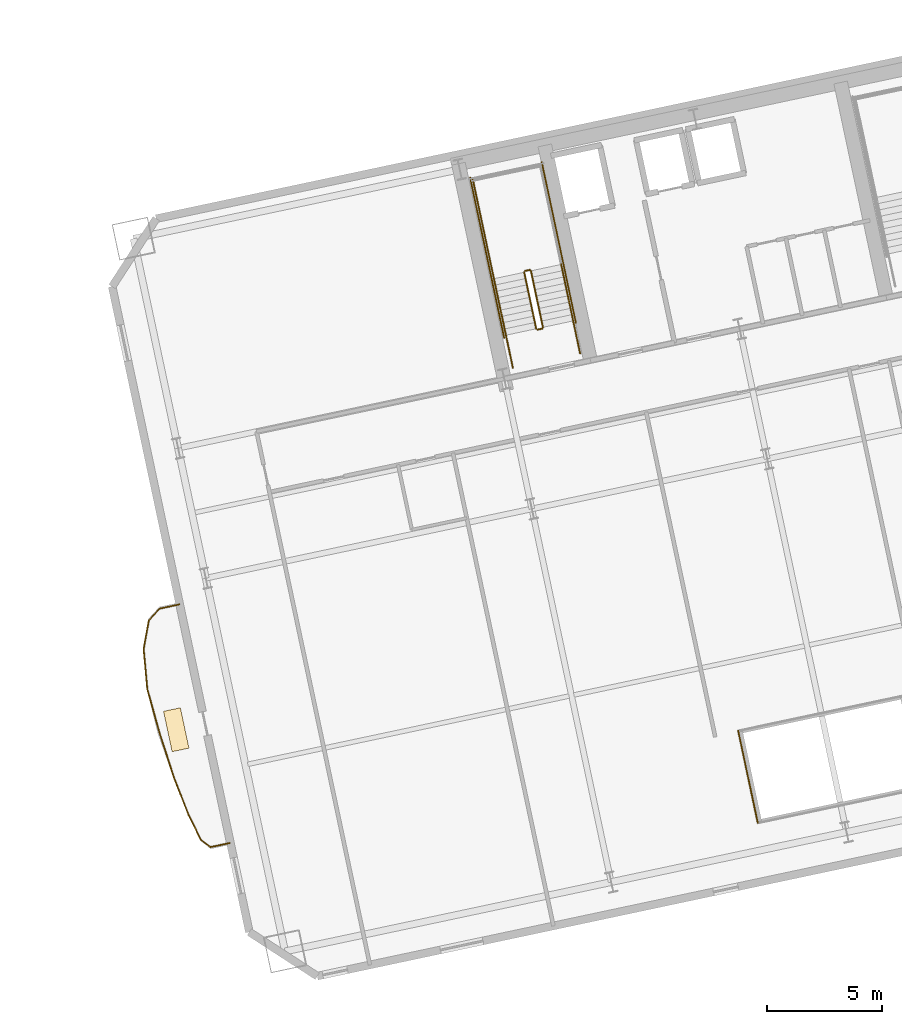
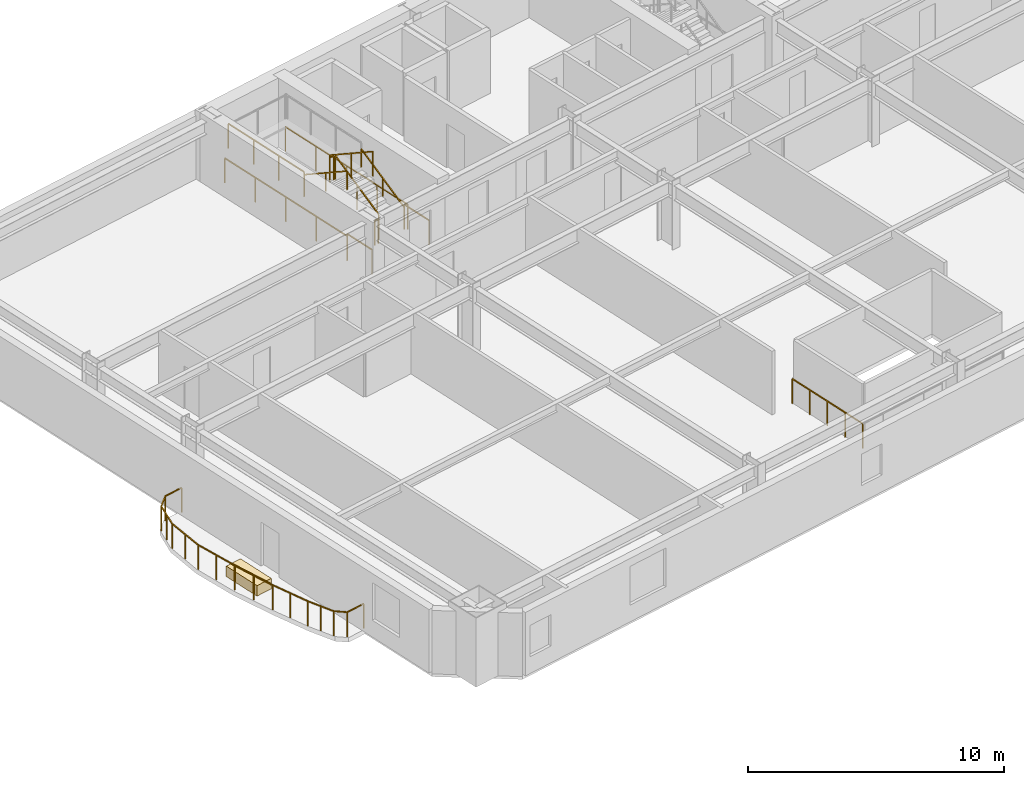
# One storey, part 14 of 16: 22 railings, 1 covering.
"""IFC4 building model written with IfcOpenShell, lengths in metres."""

from ifc_helpers import new_model, si_unit, direction, frame, origin, origin_2d, place, context, subcontext, project, spatial, rectangle, extrude, material, layer, layer_set, type_object, element, save


model = new_model("IFC4")

# Units and contexts
model_context = context("Model", 3, precision=1e-05, world=origin(), true_north=direction((0.0, 1.0)))
body_context = subcontext(model_context, "Body", "Model", "MODEL_VIEW")
ifc_project = project(units=[si_unit("LENGTHUNIT", "METRE"), si_unit("AREAUNIT", "SQUARE_METRE"), si_unit("VOLUMEUNIT", "CUBIC_METRE"), si_unit("PLANEANGLEUNIT", "RADIAN"), si_unit("MASSUNIT", "GRAM", prefix="KILO")], contexts=[model_context])

# Site, building, storey
site_placement = place(None, origin())
site = spatial("IfcSite", under=ifc_project, at=site_placement, CompositionType="ELEMENT")
building_placement = place(site_placement, origin())
building = spatial("IfcBuilding", under=site, at=building_placement, Name="Haevon Station Towers", CompositionType="ELEMENT")
storey_placement = place(building_placement, frame((0.0, 0.0, 43.800048828125)))
storey = spatial("IfcBuildingStorey", under=building, at=storey_placement, Name="L10", CompositionType="ELEMENT", Elevation=43.800048828125)

# Railings
ifc_material_1 = material(Name="Steel S355", Category="steel")
railing_type_1 = type_object("IfcRailingType", Name="BAL-ATR1200", PredefinedType="BALUSTRADE", material=ifc_material_1)
railing_1_placement = place(storey_placement, frame((108.962890625, 22.088134765625, 0.0)))
element("IfcRailing", 1, at=railing_1_placement, inside=storey, type_object=railing_type_1, Name="L10 Atrium Void Balustrade 4", PredefinedType="BALUSTRADE", context=body_context, shape_type="SweptSolid", body=[
    extrude(rectangle(XDim=0.048095703125, YDim=0.048095703125, at=origin_2d()), frame((0.0, 0.0, 1.17578125), z_axis=(0.207928976297, -0.978143926432, 0.0), x_axis=(0.978143926432, 0.207928976297, 0.0)), (0.0, 0.0, 1.0), 4.11669921875),
    extrude(rectangle(XDim=0.0419921875, YDim=0.0419921875, at=origin_2d()), origin(), (0.0, 0.0, 1.0), 1.15185546875),
    extrude(rectangle(XDim=0.0419921875, YDim=0.0419921875, at=origin_2d()), frame((0.2138671875, -1.006591796875, 0.0)), (0.0, 0.0, 1.0), 1.15185546875),
    extrude(rectangle(XDim=0.0419921875, YDim=0.0419921875, at=origin_2d()), frame((0.427978515625, -2.01318359375, 0.0)), (0.0, 0.0, 1.0), 1.15185546875),
    extrude(rectangle(XDim=0.0419921875, YDim=0.0419921875, at=origin_2d()), frame((0.64208984375, -3.02001953125, 0.0)), (0.0, 0.0, 1.0), 1.15185546875),
    extrude(rectangle(XDim=0.0419921875, YDim=0.0419921875, at=origin_2d()), frame((0.85595703125, -4.026611328125, 0.0)), (0.0, 0.0, 1.0), 1.15185546875),
])
railing_type_2 = type_object("IfcRailingType", Name="GRD-EXT1200", PredefinedType="GUARDRAIL", material=ifc_material_1)
railing_2_placement = place(storey_placement, frame((84.565185546875, 27.599853515625, 0.0)))
element("IfcRailing", 2, at=railing_2_placement, inside=storey, type_object=railing_type_2, Name="L10 Perimeter Guardrail 1", PredefinedType="GUARDRAIL", context=body_context, shape_type="SweptSolid", body=[
    extrude(rectangle(XDim=0.048095703125, YDim=0.048095703125, at=origin_2d()), frame((0.0, 0.0, 1.17578125), z_axis=(-0.977683060471, -0.210085299981, 0.0), x_axis=(0.210085299981, -0.977683060471, 0.0)), (0.0, 0.0, 1.0), 0.869140625),
    extrude(rectangle(XDim=0.0419921875, YDim=0.0419921875, at=origin_2d()), origin(), (0.0, 0.0, 1.0), 1.15185546875),
    extrude(rectangle(XDim=0.0419921875, YDim=0.0419921875, at=origin_2d()), frame((-0.849853515625, -0.1826171875, 0.0)), (0.0, 0.0, 1.0), 1.15185546875),
])
railing_3_placement = place(storey_placement, frame((83.71533203125, 27.417236328125, 0.0)))
element("IfcRailing", 3, at=railing_3_placement, inside=storey, type_object=railing_type_2, Name="L10 Perimeter Guardrail 2", PredefinedType="GUARDRAIL", context=body_context, shape_type="SweptSolid", body=[
    extrude(rectangle(XDim=0.048095703125, YDim=0.048095703125, at=origin_2d()), frame((0.0, 0.0, 1.17578125), z_axis=(-0.673258673946, -0.739407031314, 0.0), x_axis=(0.739407031314, -0.673258673946, 0.0)), (0.0, 0.0, 1.0), 0.704833984375),
    extrude(rectangle(XDim=0.0419921875, YDim=0.0419921875, at=origin_2d()), origin(), (0.0, 0.0, 1.0), 1.15185546875),
    extrude(rectangle(XDim=0.0419921875, YDim=0.0419921875, at=origin_2d()), frame((-0.474609375, -0.521240234375, 0.0)), (0.0, 0.0, 1.0), 1.15185546875),
])
railing_4_placement = place(storey_placement, frame((83.24072265625, 26.89599609375, 0.0)))
element("IfcRailing", 4, at=railing_4_placement, inside=storey, type_object=railing_type_2, Name="L10 Perimeter Guardrail 3", PredefinedType="GUARDRAIL", context=body_context, shape_type="SweptSolid", body=[
    extrude(rectangle(XDim=0.048095703125, YDim=0.048095703125, at=origin_2d()), frame((0.0, 0.0, 1.17578125), z_axis=(-0.178664469199, -0.983910060649, 0.0), x_axis=(0.983910060649, -0.178664469199, 0.0)), (0.0, 0.0, 1.0), 1.263916015625),
    extrude(rectangle(XDim=0.0419921875, YDim=0.0419921875, at=origin_2d()), origin(), (0.0, 0.0, 1.0), 1.15185546875),
    extrude(rectangle(XDim=0.0419921875, YDim=0.0419921875, at=origin_2d()), frame((-0.11279296875, -0.621826171875, 0.0)), (0.0, 0.0, 1.0), 1.15185546875),
    extrude(rectangle(XDim=0.0419921875, YDim=0.0419921875, at=origin_2d()), frame((-0.225830078125, -1.24365234375, 0.0)), (0.0, 0.0, 1.0), 1.15185546875),
])
railing_5_placement = place(storey_placement, frame((83.014892578125, 25.65234375, 0.0)))
element("IfcRailing", 5, at=railing_5_placement, inside=storey, type_object=railing_type_2, Name="L10 Perimeter Guardrail 4", PredefinedType="GUARDRAIL", context=body_context, shape_type="SweptSolid", body=[
    extrude(rectangle(XDim=0.048095703125, YDim=0.048095703125, at=origin_2d()), frame((0.0, 0.0, 1.17578125), z_axis=(0.09134934357, -0.995818907949, 0.0), x_axis=(0.995818907949, 0.09134934357, 0.0)), (0.0, 0.0, 1.0), 1.758544921875),
    extrude(rectangle(XDim=0.0419921875, YDim=0.0419921875, at=origin_2d()), origin(), (0.0, 0.0, 1.0), 1.15185546875),
    extrude(rectangle(XDim=0.0419921875, YDim=0.0419921875, at=origin_2d()), frame((0.080322265625, -0.87548828125, 0.0)), (0.0, 0.0, 1.0), 1.15185546875),
    extrude(rectangle(XDim=0.0419921875, YDim=0.0419921875, at=origin_2d()), frame((0.16064453125, -1.751220703125, 0.0)), (0.0, 0.0, 1.0), 1.15185546875),
])
railing_6_placement = place(storey_placement, frame((83.175537109375, 23.901123046875, 0.0)))
element("IfcRailing", 6, at=railing_6_placement, inside=storey, type_object=railing_type_2, Name="L10 Perimeter Guardrail 5", PredefinedType="GUARDRAIL", context=body_context, shape_type="SweptSolid", body=[
    extrude(rectangle(XDim=0.048095703125, YDim=0.048095703125, at=origin_2d()), frame((0.0, 0.0, 1.17578125), z_axis=(0.269648061071, -0.962958941576, 0.0), x_axis=(0.962958941576, 0.269648061071, 0.0)), (0.0, 0.0, 1.0), 1.997314453125),
    extrude(rectangle(XDim=0.0419921875, YDim=0.0419921875, at=origin_2d()), origin(), (0.0, 0.0, 1.0), 1.15185546875),
    extrude(rectangle(XDim=0.0419921875, YDim=0.0419921875, at=origin_2d()), frame((0.269287109375, -0.961669921875, 0.0)), (0.0, 0.0, 1.0), 1.15185546875),
    extrude(rectangle(XDim=0.0419921875, YDim=0.0419921875, at=origin_2d()), frame((0.53857421875, -1.92333984375, 0.0)), (0.0, 0.0, 1.0), 1.15185546875),
])
railing_7_placement = place(storey_placement, frame((83.714111328125, 21.977783203125, 0.0)))
element("IfcRailing", 7, at=railing_7_placement, inside=storey, type_object=railing_type_2, Name="L10 Perimeter Guardrail 6", PredefinedType="GUARDRAIL", context=body_context, shape_type="SweptSolid", body=[
    extrude(rectangle(XDim=0.048095703125, YDim=0.048095703125, at=origin_2d()), frame((0.0, 0.0, 1.17578125), z_axis=(0.307056287297, -0.951691355657, 0.0), x_axis=(0.951691355657, 0.307056287297, 0.0)), (0.0, 0.0, 1.0), 1.999755859375),
    extrude(rectangle(XDim=0.0419921875, YDim=0.0419921875, at=origin_2d()), origin(), (0.0, 0.0, 1.0), 1.15185546875),
    extrude(rectangle(XDim=0.0419921875, YDim=0.0419921875, at=origin_2d()), frame((0.30712890625, -0.95166015625, 0.0)), (0.0, 0.0, 1.0), 1.15185546875),
    extrude(rectangle(XDim=0.0419921875, YDim=0.0419921875, at=origin_2d()), frame((0.614013671875, -1.903076171875, 0.0)), (0.0, 0.0, 1.0), 1.15185546875),
])
railing_8_placement = place(storey_placement, frame((84.328125, 20.07470703125, 0.0)))
element("IfcRailing", 8, at=railing_8_placement, inside=storey, type_object=railing_type_2, Name="L10 Perimeter Guardrail 7", PredefinedType="GUARDRAIL", context=body_context, shape_type="SweptSolid", body=[
    extrude(rectangle(XDim=0.048095703125, YDim=0.048095703125, at=origin_2d()), frame((0.0, 0.0, 1.17578125), z_axis=(0.363828124835, -0.93146610007, 0.0), x_axis=(0.93146610007, 0.363828124835, 0.0)), (0.0, 0.0, 1.0), 1.77294921875),
    extrude(rectangle(XDim=0.0419921875, YDim=0.0419921875, at=origin_2d()), origin(), (0.0, 0.0, 1.0), 1.15185546875),
    extrude(rectangle(XDim=0.0419921875, YDim=0.0419921875, at=origin_2d()), frame((0.322509765625, -0.82568359375, 0.0)), (0.0, 0.0, 1.0), 1.15185546875),
    extrude(rectangle(XDim=0.0419921875, YDim=0.0419921875, at=origin_2d()), frame((0.64501953125, -1.6513671875, 0.0)), (0.0, 0.0, 1.0), 1.15185546875),
])
railing_9_placement = place(storey_placement, frame((84.97314453125, 18.42333984375, 0.0)))
element("IfcRailing", 9, at=railing_9_placement, inside=storey, type_object=railing_type_2, Name="L10 Perimeter Guardrail 8", PredefinedType="GUARDRAIL", context=body_context, shape_type="SweptSolid", body=[
    extrude(rectangle(XDim=0.048095703125, YDim=0.048095703125, at=origin_2d()), frame((0.0, 0.0, 1.17578125), z_axis=(0.439834148322, -0.898079017665, 0.0), x_axis=(0.898079017665, 0.439834148322, 0.0)), (0.0, 0.0, 1.0), 1.206787109375),
    extrude(rectangle(XDim=0.0419921875, YDim=0.0419921875, at=origin_2d()), origin(), (0.0, 0.0, 1.0), 1.15185546875),
    extrude(rectangle(XDim=0.0419921875, YDim=0.0419921875, at=origin_2d()), frame((0.265380859375, -0.5419921875, 0.0)), (0.0, 0.0, 1.0), 1.15185546875),
    extrude(rectangle(XDim=0.0419921875, YDim=0.0419921875, at=origin_2d()), frame((0.53076171875, -1.083740234375, 0.0)), (0.0, 0.0, 1.0), 1.15185546875),
])
railing_10_placement = place(storey_placement, frame((85.50390625, 17.339599609375, 0.0)))
element("IfcRailing", 10, at=railing_10_placement, inside=storey, type_object=railing_type_2, Name="L10 Perimeter Guardrail 9", PredefinedType="GUARDRAIL", context=body_context, shape_type="SweptSolid", body=[
    extrude(rectangle(XDim=0.048095703125, YDim=0.048095703125, at=origin_2d()), frame((0.0, 0.0, 1.17578125), z_axis=(0.788568425853, -0.614947020277, 0.0), x_axis=(0.614947020277, 0.788568425853, 0.0)), (0.0, 0.0, 1.0), 0.537109375),
    extrude(rectangle(XDim=0.0419921875, YDim=0.0419921875, at=origin_2d()), origin(), (0.0, 0.0, 1.0), 1.15185546875),
    extrude(rectangle(XDim=0.0419921875, YDim=0.0419921875, at=origin_2d()), frame((0.423583984375, -0.330322265625, 0.0)), (0.0, 0.0, 1.0), 1.15185546875),
])
railing_11_placement = place(storey_placement, frame((85.927490234375, 17.00927734375, 0.0)))
element("IfcRailing", 11, at=railing_11_placement, inside=storey, type_object=railing_type_2, Name="L10 Perimeter Guardrail 10", PredefinedType="GUARDRAIL", context=body_context, shape_type="SweptSolid", body=[
    extrude(rectangle(XDim=0.048095703125, YDim=0.048095703125, at=origin_2d()), frame((0.0, 0.0, 1.17578125), z_axis=(0.978588498747, 0.205826504901, 0.0), x_axis=(-0.205826504901, 0.978588498747, 0.0)), (0.0, 0.0, 1.0), 0.869384765625),
    extrude(rectangle(XDim=0.0419921875, YDim=0.0419921875, at=origin_2d()), origin(), (0.0, 0.0, 1.0), 1.15185546875),
    extrude(rectangle(XDim=0.0419921875, YDim=0.0419921875, at=origin_2d()), frame((0.850830078125, 0.178955078125, 0.0)), (0.0, 0.0, 1.0), 1.15185546875),
])
railing_type_3 = type_object("IfcRailingType", Name="GRD-STR1200", PredefinedType="GUARDRAIL", material=ifc_material_1)
railing_12_placement = place(storey_placement, frame((100.44140625, 39.69287109375, 0.1650390625)))
element("IfcRailing", 12, at=railing_12_placement, inside=storey, type_object=railing_type_3, Name="L10 ST3 Stair Guard 1", PredefinedType="GUARDRAIL", context=body_context, shape_type="SweptSolid", body=[
    extrude(rectangle(XDim=0.048095703125, YDim=0.048095703125, at=origin_2d()), frame((0.0, 0.0, 1.17578125), z_axis=(-0.179128856099, 0.842723639875, 0.507670877349), x_axis=(-0.978147030254, -0.207914374695, 0.0)), (0.0, 0.0, 1.0), 2.9248046875),
    extrude(rectangle(XDim=0.0419921875, YDim=0.0419921875, at=origin_2d()), origin(), (0.0, 0.0, 1.0), 1.15185546875),
    extrude(rectangle(XDim=0.0419921875, YDim=0.0419921875, at=origin_2d()), frame((-0.261962890625, 1.232421875, 0.742431640625)), (0.0, 0.0, 1.0), 1.15185546875),
    extrude(rectangle(XDim=0.0419921875, YDim=0.0419921875, at=origin_2d()), frame((-0.52392578125, 2.46484375, 1.48486328125)), (0.0, 0.0, 1.0), 1.15185546875),
])
railing_13_placement = place(storey_placement, frame((99.858154296875, 42.1962890625, 1.64990234375)))
element("IfcRailing", 13, at=railing_13_placement, inside=storey, type_object=railing_type_3, Name="L10 ST3 Stair Guard 2", PredefinedType="GUARDRAIL", context=body_context, shape_type="SweptSolid", body=[
    extrude(rectangle(XDim=0.048095703125, YDim=0.048095703125, at=origin_2d()), frame((0.0, 0.0, 1.17578125), z_axis=(-0.977962931203, -0.208778603291, 0.0), x_axis=(0.208778603291, -0.977962931203, 0.0)), (0.0, 0.0, 1.0), 0.199951171875),
    extrude(rectangle(XDim=0.0419921875, YDim=0.0419921875, at=origin_2d()), origin(), (0.0, 0.0, 1.0), 1.15185546875),
    extrude(rectangle(XDim=0.0419921875, YDim=0.0419921875, at=origin_2d()), frame((-0.195556640625, -0.041748046875, 0.0)), (0.0, 0.0, 1.0), 1.15185546875),
])
railing_14_placement = place(storey_placement, frame((98.303466796875, 41.814697265625, 1.64990234375)))
element("IfcRailing", 14, at=railing_14_placement, inside=storey, type_object=railing_type_3, Name="L10 ST3 Stair Guard 4", PredefinedType="GUARDRAIL", context=body_context, shape_type="SweptSolid", body=[
    extrude(rectangle(XDim=0.048095703125, YDim=0.048095703125, at=origin_2d()), frame((0.0, 0.0, 1.17578125), z_axis=(-0.207876551949, 0.978155069071, 0.0), x_axis=(-0.978155069071, -0.207876551949, 0.0)), (0.0, 0.0, 1.0), 4.429931640625),
    extrude(rectangle(XDim=0.0419921875, YDim=0.0419921875, at=origin_2d()), origin(), (0.0, 0.0, 1.0), 1.15185546875),
    extrude(rectangle(XDim=0.0419921875, YDim=0.0419921875, at=origin_2d()), frame((-0.306884765625, 1.4443359375, 0.0)), (0.0, 0.0, 1.0), 1.15185546875),
    extrude(rectangle(XDim=0.0419921875, YDim=0.0419921875, at=origin_2d()), frame((-0.614013671875, 2.888916015625, 0.0)), (0.0, 0.0, 1.0), 1.15185546875),
    extrude(rectangle(XDim=0.0419921875, YDim=0.0419921875, at=origin_2d()), frame((-0.9208984375, 4.333251953125, 0.0)), (0.0, 0.0, 1.0), 1.15185546875),
])
railing_15_placement = place(storey_placement, frame((99.6240234375, 42.09521484375, 1.81494140625)))
element("IfcRailing", 15, at=railing_15_placement, inside=storey, type_object=railing_type_3, Name="L10 ST3 Stair Guard 6", PredefinedType="GUARDRAIL", context=body_context, shape_type="SweptSolid", body=[
    extrude(rectangle(XDim=0.048095703125, YDim=0.048095703125, at=origin_2d()), frame((0.0, 0.0, 1.17578125), z_axis=(0.179121265225, -0.842687928106, 0.507732831485), x_axis=(0.978147030254, 0.207914374695, 0.0)), (0.0, 0.0, 1.0), 2.925048828125),
    extrude(rectangle(XDim=0.0419921875, YDim=0.0419921875, at=origin_2d()), origin(), (0.0, 0.0, 1.0), 1.15185546875),
    extrude(rectangle(XDim=0.0419921875, YDim=0.0419921875, at=origin_2d()), frame((0.261962890625, -1.232421875, 0.74267578125)), (0.0, 0.0, 1.0), 1.15185546875),
    extrude(rectangle(XDim=0.0419921875, YDim=0.0419921875, at=origin_2d()), frame((0.52392578125, -2.46484375, 1.485107421875)), (0.0, 0.0, 1.0), 1.15185546875),
])
railing_16_placement = place(storey_placement, frame((100.40283203125, 39.633544921875, 0.0)))
element("IfcRailing", 16, at=railing_16_placement, inside=storey, type_object=railing_type_3, Name="L10 ST3 Stair Guard 7", PredefinedType="GUARDRAIL", context=body_context, shape_type="SweptSolid", body=[
    extrude(rectangle(XDim=0.048095703125, YDim=0.048095703125, at=origin_2d()), frame((0.0, 0.0, 1.17578125), z_axis=(-0.977962931203, -0.208778603291, 0.0), x_axis=(0.208778603291, -0.977962931203, 0.0)), (0.0, 0.0, 1.0), 0.199951171875),
    extrude(rectangle(XDim=0.0419921875, YDim=0.0419921875, at=origin_2d()), origin(), (0.0, 0.0, 1.0), 1.15185546875),
    extrude(rectangle(XDim=0.0419921875, YDim=0.0419921875, at=origin_2d()), frame((-0.195556640625, -0.041748046875, 0.0)), (0.0, 0.0, 1.0), 1.15185546875),
])
for number, where, name in (
    (17, (102.0634765625, 38.55517578125, 0.0), "L10 ST3 Stair Guard 8"),
    (18, (99.12890625, 37.931396484375, 0.0), "L10 ST3 Stair Guard 9"),
):
    element("IfcRailing", number, at=place(storey_placement, frame(where)), inside=storey, type_object=railing_type_3, Name=name, PredefinedType="GUARDRAIL", context=body_context, shape_type="SweptSolid", body=[
        extrude(rectangle(XDim=0.048095703125, YDim=0.048095703125, at=origin_2d()), frame((0.0, 0.0, 1.17578125), z_axis=(-0.207953405961, 0.978138732977, 0.0), x_axis=(-0.978138732977, -0.207953405961, 0.0)), (0.0, 0.0, 1.0), 1.449951171875),
        extrude(rectangle(XDim=0.0419921875, YDim=0.0419921875, at=origin_2d()), origin(), (0.0, 0.0, 1.0), 1.15185546875),
        extrude(rectangle(XDim=0.0419921875, YDim=0.0419921875, at=origin_2d()), frame((-0.301513671875, 1.418212890625, 0.0)), (0.0, 0.0, 1.0), 1.15185546875),
    ])
railing_17_placement = place(storey_placement, frame((101.88037109375, 39.896484375, 0.0)))
element("IfcRailing", 19, at=railing_17_placement, inside=storey, type_object=railing_type_3, Name="L10 ST3 Stair Guard 10", PredefinedType="GUARDRAIL", context=body_context, shape_type="SweptSolid", body=[
    extrude(rectangle(XDim=0.048095703125, YDim=0.048095703125, at=origin_2d()), frame((0.0, 0.0, 1.17578125), z_axis=(-0.207882442208, 0.978153817261, 0.0), x_axis=(-0.978153817261, -0.207882442208, 0.0)), (0.0, 0.0, 1.0), 7.14990234375),
    extrude(rectangle(XDim=0.0419921875, YDim=0.0419921875, at=origin_2d()), origin(), (0.0, 0.0, 1.0), 1.15185546875),
    extrude(rectangle(XDim=0.0419921875, YDim=0.0419921875, at=origin_2d()), frame((-0.37158203125, 1.74853515625, 0.0)), (0.0, 0.0, 1.0), 1.15185546875),
    extrude(rectangle(XDim=0.0419921875, YDim=0.0419921875, at=origin_2d()), frame((-0.7431640625, 3.496826171875, 0.0)), (0.0, 0.0, 1.0), 1.15185546875),
    extrude(rectangle(XDim=0.0419921875, YDim=0.0419921875, at=origin_2d()), frame((-1.11474609375, 5.2451171875, 0.0)), (0.0, 0.0, 1.0), 1.15185546875),
    extrude(rectangle(XDim=0.0419921875, YDim=0.0419921875, at=origin_2d()), frame((-1.486328125, 6.99365234375, 0.0)), (0.0, 0.0, 1.0), 1.15185546875),
])
railing_18_placement = place(storey_placement, frame((98.75048828125, 39.231201171875, 0.0)))
element("IfcRailing", 20, at=railing_18_placement, inside=storey, type_object=railing_type_3, Name="L10 ST3 Stair Guard 11", PredefinedType="GUARDRAIL", context=body_context, shape_type="SweptSolid", body=[
    extrude(rectangle(XDim=0.048095703125, YDim=0.048095703125, at=origin_2d()), frame((0.0, 0.0, 1.17578125), z_axis=(-0.207915112487, 0.978146873429, 0.0), x_axis=(-0.978146873429, -0.207915112487, 0.0)), (0.0, 0.0, 1.0), 7.14990234375),
    extrude(rectangle(XDim=0.0419921875, YDim=0.0419921875, at=origin_2d()), origin(), (0.0, 0.0, 1.0), 1.15185546875),
    extrude(rectangle(XDim=0.0419921875, YDim=0.0419921875, at=origin_2d()), frame((-0.37158203125, 1.74853515625, 0.0)), (0.0, 0.0, 1.0), 1.15185546875),
    extrude(rectangle(XDim=0.0419921875, YDim=0.0419921875, at=origin_2d()), frame((-0.7431640625, 3.496826171875, 0.0)), (0.0, 0.0, 1.0), 1.15185546875),
    extrude(rectangle(XDim=0.0419921875, YDim=0.0419921875, at=origin_2d()), frame((-1.114990234375, 5.2451171875, 0.0)), (0.0, 0.0, 1.0), 1.15185546875),
    extrude(rectangle(XDim=0.0419921875, YDim=0.0419921875, at=origin_2d()), frame((-1.486572265625, 6.99365234375, 0.0)), (0.0, 0.0, 1.0), 1.15185546875),
])
railing_type_4 = type_object("IfcRailingType", Name="HND-STR900", PredefinedType="HANDRAIL", material=ifc_material_1)
railing_19_placement = place(storey_placement, frame((101.761962890625, 39.973388671875, 0.1650390625)))
element("IfcRailing", 21, at=railing_19_placement, inside=storey, type_object=railing_type_4, Name="L10 ST3 Stair Handrail 1", PredefinedType="HANDRAIL", context=body_context, shape_type="SweptSolid", body=[
    extrude(rectangle(XDim=0.048095703125, YDim=0.048095703125, at=origin_2d()), frame((0.0, 0.0, 0.8759765625), z_axis=(-0.179116256339, 0.842747828638, 0.507635168246), x_axis=(-0.978151217824, -0.207894673017, 0.0)), (0.0, 0.0, 1.0), 2.925048828125),
    extrude(rectangle(XDim=0.0419921875, YDim=0.0419921875, at=origin_2d()), origin(), (0.0, 0.0, 1.0), 0.851806640625),
    extrude(rectangle(XDim=0.0419921875, YDim=0.0419921875, at=origin_2d()), frame((-0.261962890625, 1.232421875, 0.742431640625)), (0.0, 0.0, 1.0), 0.851806640625),
    extrude(rectangle(XDim=0.0419921875, YDim=0.0419921875, at=origin_2d()), frame((-0.52392578125, 2.465087890625, 1.48486328125)), (0.0, 0.0, 1.0), 0.851806640625),
])
railing_20_placement = place(storey_placement, frame((98.303466796875, 41.814697265625, 1.81494140625)))
element("IfcRailing", 22, at=railing_20_placement, inside=storey, type_object=railing_type_4, Name="L10 ST3 Stair Handrail 2", PredefinedType="HANDRAIL", context=body_context, shape_type="SweptSolid", body=[
    extrude(rectangle(XDim=0.048095703125, YDim=0.048095703125, at=origin_2d()), frame((0.0, 0.0, 0.8759765625), z_axis=(0.179108667068, -0.842712120868, 0.50769712105), x_axis=(0.978151217824, 0.207894673017, 0.0)), (0.0, 0.0, 1.0), 2.92529296875),
    extrude(rectangle(XDim=0.0419921875, YDim=0.0419921875, at=origin_2d()), origin(), (0.0, 0.0, 1.0), 0.851806640625),
    extrude(rectangle(XDim=0.0419921875, YDim=0.0419921875, at=origin_2d()), frame((0.261962890625, -1.232421875, 0.74267578125)), (0.0, 0.0, 1.0), 0.851806640625),
    extrude(rectangle(XDim=0.0419921875, YDim=0.0419921875, at=origin_2d()), frame((0.52392578125, -2.465087890625, 1.485107421875)), (0.0, 0.0, 1.0), 0.851806640625),
])

# Covering
ifc_material_2 = material(Name="Architectural planter GRC", Category="concrete")
ifc_layer = layer(ifc_material_2, 0.550048828125)
ifc_layer_set = layer_set([ifc_layer], Name="Architectural planter GRC")
covering_type = type_object("IfcCoveringType", Name="PLN-GRC550", PredefinedType="MOLDING", material=ifc_layer_set)
covering_placement = place(storey_placement, frame((84.439453125, 22.132080078125, 0.0), z_axis=(0.0, 0.0, 1.0), x_axis=(0.978147600734, 0.207911690818, 0.0)))
element("IfcCovering", 23, at=covering_placement, inside=storey, type_object=covering_type, Name="Tower 2 L10 Scalloped Balcony PLANTER", PredefinedType="MOLDING", context=body_context, shape_type="SweptSolid", body=[
    extrude(rectangle(XDim=0.75, YDim=1.800048828125, at=origin_2d()), origin(), (0.0, 0.0, 1.0), 0.5),
])

save(model, "model.ifc")
